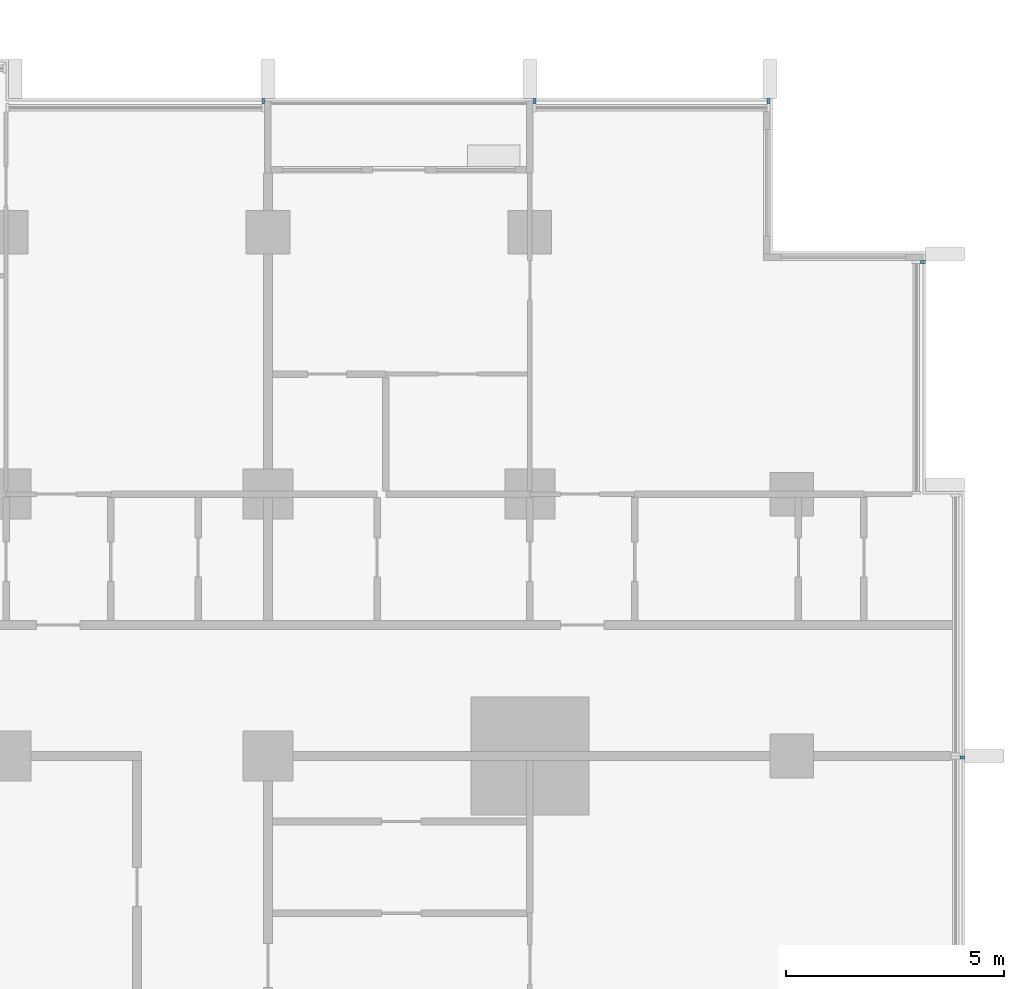
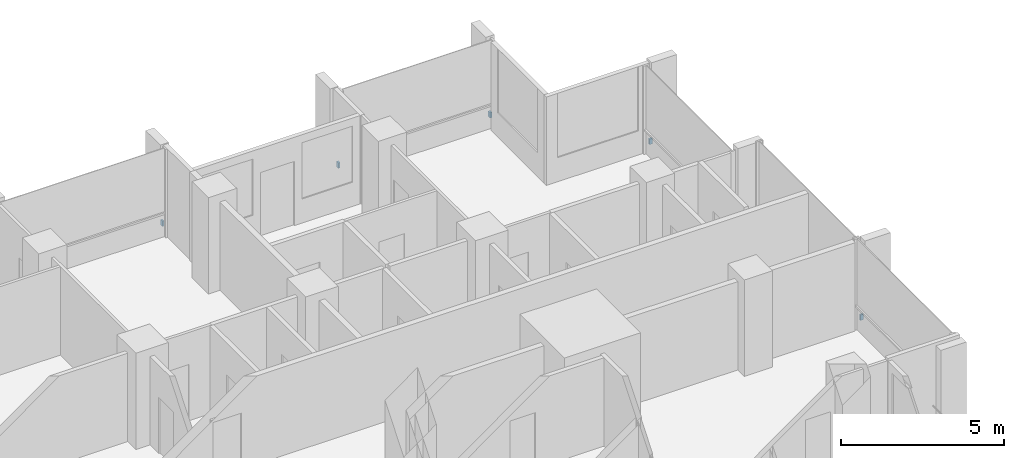
# One storey, part 17 of 18: 5 discrete accessories.
"""IFC4 building model written with IfcOpenShell, lengths in metres."""

from ifc_helpers import new_model, si_unit, direction, frame, origin, origin_2d, place, context, subcontext, project, spatial, rectangle, extrude, material, type_object, element, save


model = new_model("IFC4")

# Units and contexts
model_context = context("Model", 3, precision=1e-05, world=origin(), true_north=direction((0.0, 1.0)))
body_context = subcontext(model_context, "Body", "Model", "MODEL_VIEW")
ifc_project = project(units=[si_unit("LENGTHUNIT", "METRE"), si_unit("AREAUNIT", "SQUARE_METRE"), si_unit("VOLUMEUNIT", "CUBIC_METRE"), si_unit("PLANEANGLEUNIT", "RADIAN"), si_unit("MASSUNIT", "GRAM", prefix="KILO")], contexts=[model_context])

# Site, building, storey
site_placement = place(None, origin())
site = spatial("IfcSite", under=ifc_project, at=site_placement, CompositionType="ELEMENT")
building_placement = place(site_placement, origin())
building = spatial("IfcBuilding", under=site, at=building_placement, Name="Finial Court Residences", CompositionType="ELEMENT")
storey_placement = place(building_placement, frame((0.0, 0.0, 106.300048828125)))
storey = spatial("IfcBuildingStorey", under=building, at=storey_placement, Name="L26", CompositionType="ELEMENT", Elevation=106.300048828125)

# Discrete accessories
ifc_material = material(Name="Stainless steel 316", Category="steel")
discrete_accessory_type = type_object("IfcDiscreteAccessoryType", Name="Fin bracket, stainless steel 65 x 110 x 200", PredefinedType="BRACKET", material=ifc_material)
for number, where, z_axis, x_axis, name in (
    (1, (10.392578125, 22.5048828125, 0.2998046875), (0.0, 0.0, 1.0), (1.0, 0.0, 0.0), "E-L26-FIN-N6-BRK"),
    (2, (16.607421875, 22.5048828125, 0.2998046875), (0.0, 0.0, 1.0), (1.0, 0.0, 0.0), "E-L26-FIN-N7-BRK"),
    (3, (21.967529296875, 22.5048828125, 0.2998046875), (0.0, 0.0, 1.0), (1.0, 0.0, 0.0), "E-L26-FIN-N8-BRK"),
):
    element("IfcDiscreteAccessory", number, at=place(storey_placement, frame(where, z_axis=z_axis, x_axis=x_axis)), inside=storey, type_object=discrete_accessory_type, Name=name, PredefinedType="BRACKET", context=body_context, shape_type="SweptSolid", body=[
        extrude(rectangle(XDim=0.06494140625, YDim=0.110107421875, at=origin_2d()), origin(), (0.0, 0.0, 1.0), 0.199951171875),
    ])
for number, where, z_axis, x_axis, name in (
    (4, (26.405029296875, 7.467529296875, 0.2998046875), (0.0, 0.0, 1.0), (1.0, 0.0, 0.0), "E-L26-FIN-E13-BRK"),
    (5, (25.5048828125, 18.8173828125, 0.2998046875), (0.0, 0.0, 1.0), (1.0, 0.0, 0.0), "E-L26-FIN-E15-BRK"),
):
    element("IfcDiscreteAccessory", number, at=place(storey_placement, frame(where, z_axis=z_axis, x_axis=x_axis)), inside=storey, type_object=discrete_accessory_type, Name=name, PredefinedType="BRACKET", context=body_context, shape_type="SweptSolid", body=[
        extrude(rectangle(XDim=0.110107421875, YDim=0.06494140625, at=origin_2d()), origin(), (0.0, 0.0, 1.0), 0.199951171875),
    ])

save(model, "model.ifc")
